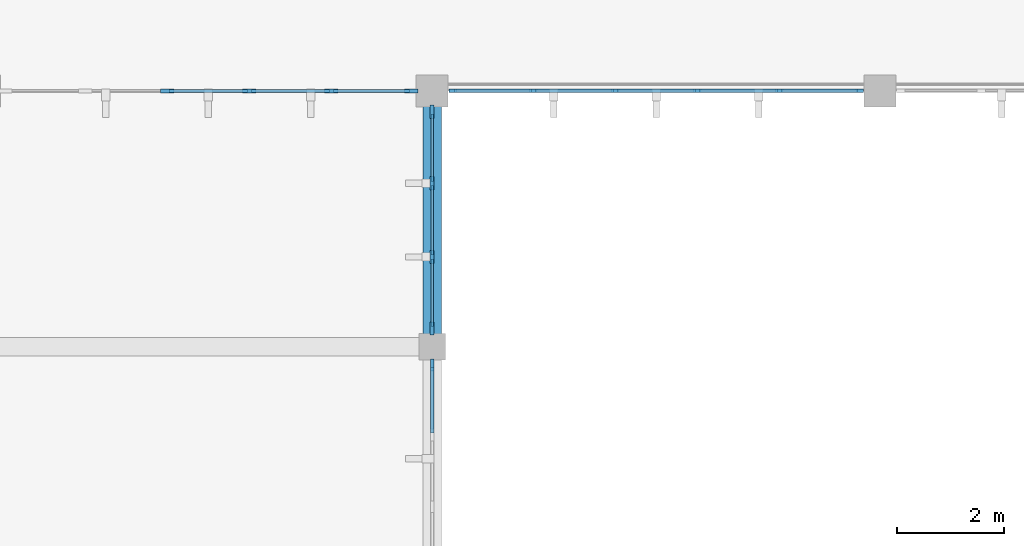
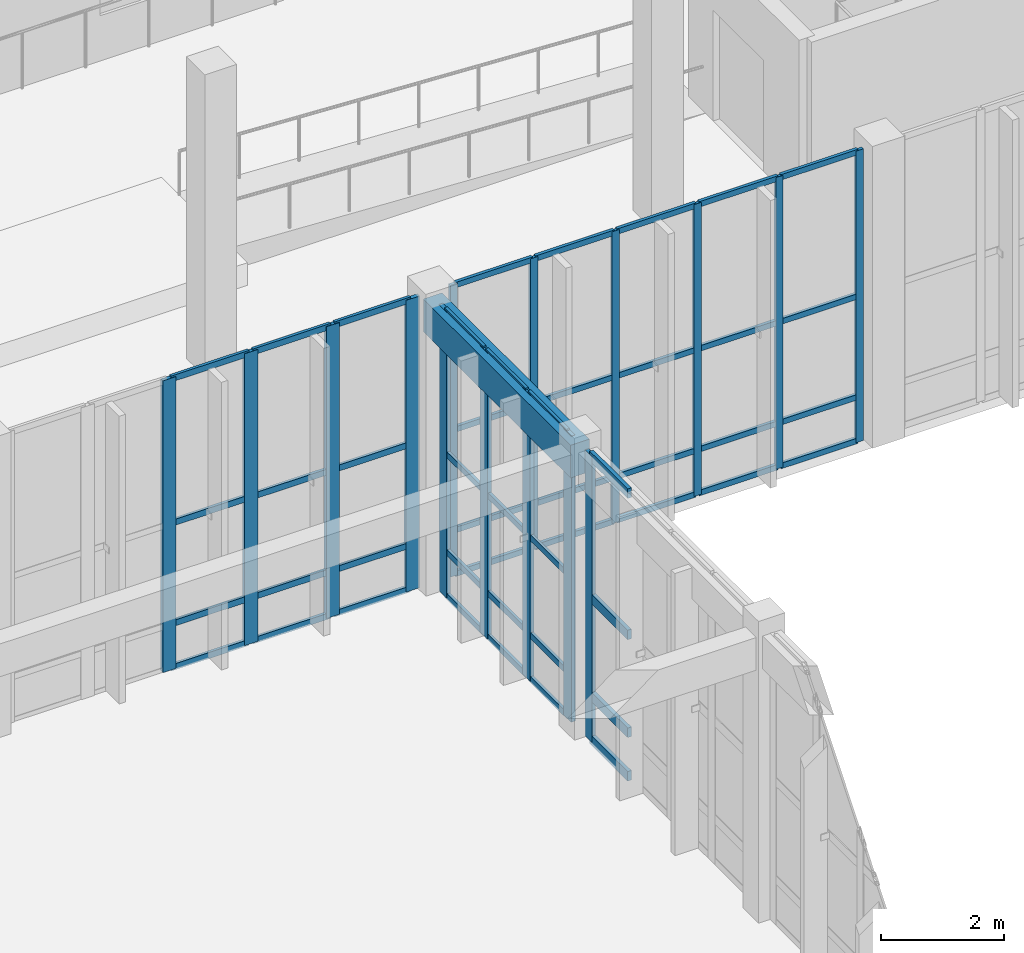
# One storey, part 46 of 105: 63 members, 1 beam, 4 elements without a shape of their own.
"""IFC4 building model written with IfcOpenShell, lengths in metres."""

from ifc_helpers import new_model, si_unit, direction, frame, origin, origin_2d, place, context, subcontext, project, spatial, rectangle, extrude, material, material_profile, profile_set, type_object, element, aggregate, save


model = new_model("IFC4")

# Units and contexts
model_context = context("Model", 3, precision=1e-05, world=origin(), true_north=direction((0.0, 1.0)))
body_context = subcontext(model_context, "Body", "Model", "MODEL_VIEW")
ifc_project = project(units=[si_unit("LENGTHUNIT", "METRE"), si_unit("AREAUNIT", "SQUARE_METRE"), si_unit("VOLUMEUNIT", "CUBIC_METRE"), si_unit("PLANEANGLEUNIT", "RADIAN"), si_unit("MASSUNIT", "GRAM", prefix="KILO")], contexts=[model_context])

# Site, building, storey
site_placement = place(None, origin())
site = spatial("IfcSite", under=ifc_project, at=site_placement, CompositionType="ELEMENT")
building_placement = place(site_placement, origin())
building = spatial("IfcBuilding", under=site, at=building_placement, Name="Tizgana Railside Sports Hall", CompositionType="ELEMENT")
storey_placement = place(building_placement, frame((0.0, 0.0, 6.0)))
storey = spatial("IfcBuildingStorey", under=building, at=storey_placement, Name="L01", CompositionType="ELEMENT", Elevation=6.0)

# Beam
ifc_material_1 = material(Name="Concrete C35/45", Category="concrete")
ifc_material_profile_1 = material_profile(ifc_material_1, rectangle(XDim=0.35009765625, YDim=0.64990234375, at=origin_2d()), Name="RCB 350x650")
ifc_profile_set_1 = profile_set([ifc_material_profile_1], Name="Concrete C35/45")
beam_type = type_object("IfcBeamType", Name="Concrete Beam RCB 350x650", PredefinedType="BEAM", material=ifc_profile_set_1)
beam_placement = place(storey_placement, frame((149.39990234375, 68.39990234375, 5.361083984375), z_axis=(0.0, 1.0, 0.0), x_axis=(-1.0, 0.0, 0.0)))
element("IfcBeam", 1, at=beam_placement, inside=storey, type_object=beam_type, Name="L01 BEM-1389", PredefinedType="BEAM", context=body_context, shape_type="SweptSolid", body=[
    extrude(rectangle(XDim=0.35009765625, YDim=0.64990234375, at=origin_2d()), origin(), (0.0, 0.0, 1.0), 4.800048828125),
])

# Curtain wall, members
ifc_material_2 = material(Name="Anodised aluminium and glass", Category="aluminium")
curtain_wall_type_1 = type_object("IfcCurtainWallType", Name="Unitised Curtain Wall Concourse 1500", PredefinedType="NOTDEFINED", material=ifc_material_2)
curtain_wall_1_placement = place(storey_placement, origin())
curtain_wall_1 = element("IfcCurtainWall", 2, at=curtain_wall_1_placement, inside=storey, type_object=curtain_wall_type_1, Name="L01 Curtain Wall CW-0072", PredefinedType="NOTDEFINED")
ifc_material_3 = material(Name="Anodised aluminium", Category="aluminium")
ifc_material_profile_2 = material_profile(ifc_material_3, rectangle(XDim=0.06005859375, YDim=0.139892578125, at=origin_2d()), Name="Mullion 60x140")
ifc_profile_set_2 = profile_set([ifc_material_profile_2], Name="Anodised aluminium")
member_type_1 = type_object("IfcMemberType", Name="Mullion 60x140", PredefinedType="MULLION", material=ifc_profile_set_2)
member_1_placement = place(storey_placement, frame((157.4150390625, 73.199951171875, 0.0), z_axis=(0.0, 0.0, 1.0), x_axis=(0.0, -1.0, 0.0)))
member_1 = element("IfcMember", 3, at=member_1_placement, type_object=member_type_1, Name="CW-01 mullion 1", PredefinedType="MULLION", context=body_context, shape_type="SweptSolid", body=[
    extrude(rectangle(XDim=0.06005859375, YDim=0.139892578125, at=origin_2d()), origin(), (0.0, 0.0, 1.0), 5.800048828125),
])
member_2_placement = place(storey_placement, frame((155.906982421875, 73.199951171875, 0.0), z_axis=(0.0, 0.0, 1.0), x_axis=(0.0, -1.0, 0.0)))
member_2 = element("IfcMember", 4, at=member_2_placement, type_object=member_type_1, Name="CW-01 mullion 2", PredefinedType="MULLION", context=body_context, shape_type="SweptSolid", body=[
    extrude(rectangle(XDim=0.06005859375, YDim=0.139892578125, at=origin_2d()), origin(), (0.0, 0.0, 1.0), 5.800048828125),
])
member_3_placement = place(storey_placement, frame((154.368896484375, 73.199951171875, 0.0), z_axis=(0.0, 0.0, 1.0), x_axis=(0.0, -1.0, 0.0)))
member_3 = element("IfcMember", 5, at=member_3_placement, type_object=member_type_1, Name="CW-01 mullion 3", PredefinedType="MULLION", context=body_context, shape_type="SweptSolid", body=[
    extrude(rectangle(XDim=0.06005859375, YDim=0.139892578125, at=origin_2d()), origin(), (0.0, 0.0, 1.0), 5.800048828125),
])
member_4_placement = place(storey_placement, frame((152.8310546875, 73.199951171875, 0.0), z_axis=(0.0, 0.0, 1.0), x_axis=(0.0, -1.0, 0.0)))
member_4 = element("IfcMember", 6, at=member_4_placement, type_object=member_type_1, Name="CW-01 mullion 4", PredefinedType="MULLION", context=body_context, shape_type="SweptSolid", body=[
    extrude(rectangle(XDim=0.06005859375, YDim=0.139892578125, at=origin_2d()), origin(), (0.0, 0.0, 1.0), 5.800048828125),
])
member_5_placement = place(storey_placement, frame((151.29296875, 73.199951171875, 0.0), z_axis=(0.0, 0.0, 1.0), x_axis=(0.0, -1.0, 0.0)))
member_5 = element("IfcMember", 7, at=member_5_placement, type_object=member_type_1, Name="CW-01 mullion 5", PredefinedType="MULLION", context=body_context, shape_type="SweptSolid", body=[
    extrude(rectangle(XDim=0.06005859375, YDim=0.139892578125, at=origin_2d()), origin(), (0.0, 0.0, 1.0), 5.800048828125),
])
member_6_placement = place(storey_placement, frame((149.784912109375, 73.199951171875, 0.0), z_axis=(0.0, 0.0, 1.0), x_axis=(0.0, -1.0, 0.0)))
member_6 = element("IfcMember", 8, at=member_6_placement, type_object=member_type_1, Name="CW-01 mullion 6", PredefinedType="MULLION", context=body_context, shape_type="SweptSolid", body=[
    extrude(rectangle(XDim=0.06005859375, YDim=0.139892578125, at=origin_2d()), origin(), (0.0, 0.0, 1.0), 5.800048828125),
])

# Curtain wall, member
curtain_wall_type_2 = type_object("IfcCurtainWallType", Name="Unitised Curtain Wall Studio 1400", PredefinedType="NOTDEFINED", material=ifc_material_2)
curtain_wall_2_placement = place(storey_placement, origin())
curtain_wall_2 = element("IfcCurtainWall", 9, at=curtain_wall_2_placement, inside=storey, type_object=curtain_wall_type_2, Name="L01 Curtain Wall CW-0034", PredefinedType="NOTDEFINED")
ifc_material_profile_3 = material_profile(ifc_material_3, rectangle(XDim=0.070068359375, YDim=0.219970703125, at=origin_2d()), Name="Mullion 70x220")
ifc_profile_set_3 = profile_set([ifc_material_profile_3], Name="Anodised aluminium")
member_type_2 = type_object("IfcMemberType", Name="Mullion 70x220", PredefinedType="MULLION", material=ifc_profile_set_3)
member_7_placement = place(storey_placement, frame((149.39990234375, 68.06005859375, 0.0), z_axis=(0.0, 0.0, 1.0), x_axis=(-1.0, 0.0, 0.0)))
member_7 = element("IfcMember", 10, at=member_7_placement, type_object=member_type_2, Name="CW-03 mullion 5", PredefinedType="MULLION", context=body_context, shape_type="SweptSolid", body=[
    extrude(rectangle(XDim=0.070068359375, YDim=0.219970703125, at=origin_2d()), origin(), (0.0, 0.0, 1.0), 5.68994140625),
])

# Curtain wall, members
curtain_wall_type_3 = type_object("IfcCurtainWallType", Name="Unitised Curtain Wall Climbing 1600", PredefinedType="NOTDEFINED", material=ifc_material_2)
curtain_wall_3_placement = place(storey_placement, origin())
curtain_wall_3 = element("IfcCurtainWall", 11, at=curtain_wall_3_placement, inside=storey, type_object=curtain_wall_type_3, Name="L01 Curtain Wall CW-0035", PredefinedType="NOTDEFINED")
ifc_material_profile_4 = material_profile(ifc_material_3, rectangle(XDim=0.074951171875, YDim=0.25, at=origin_2d()), Name="Mullion 75x250")
ifc_profile_set_4 = profile_set([ifc_material_profile_4], Name="Anodised aluminium")
member_type_3 = type_object("IfcMemberType", Name="Mullion 75x250", PredefinedType="MULLION", material=ifc_profile_set_4)
member_8_placement = place(storey_placement, frame((149.39990234375, 68.742431640625, 0.0), z_axis=(0.0, 0.0, 1.0), x_axis=(-1.0, 0.0, 0.0)))
member_8 = element("IfcMember", 12, at=member_8_placement, type_object=member_type_3, Name="CW-04 mullion 1", PredefinedType="MULLION", context=body_context, shape_type="SweptSolid", body=[
    extrude(rectangle(XDim=0.074951171875, YDim=0.25, at=origin_2d()), origin(), (0.0, 0.0, 1.0), 5.68994140625),
])
member_9_placement = place(storey_placement, frame((149.39990234375, 70.0849609375, 0.0), z_axis=(0.0, 0.0, 1.0), x_axis=(-1.0, 0.0, 0.0)))
member_9 = element("IfcMember", 13, at=member_9_placement, type_object=member_type_3, Name="CW-04 mullion 2", PredefinedType="MULLION", context=body_context, shape_type="SweptSolid", body=[
    extrude(rectangle(XDim=0.074951171875, YDim=0.25, at=origin_2d()), origin(), (0.0, 0.0, 1.0), 5.68994140625),
])
member_10_placement = place(storey_placement, frame((149.39990234375, 71.465087890625, 0.0), z_axis=(0.0, 0.0, 1.0), x_axis=(-1.0, 0.0, 0.0)))
member_10 = element("IfcMember", 14, at=member_10_placement, type_object=member_type_3, Name="CW-04 mullion 3", PredefinedType="MULLION", context=body_context, shape_type="SweptSolid", body=[
    extrude(rectangle(XDim=0.074951171875, YDim=0.25, at=origin_2d()), origin(), (0.0, 0.0, 1.0), 5.68994140625),
])
member_11_placement = place(storey_placement, frame((149.39990234375, 72.8076171875, 0.0), z_axis=(0.0, 0.0, 1.0), x_axis=(-1.0, 0.0, 0.0)))
member_11 = element("IfcMember", 15, at=member_11_placement, type_object=member_type_3, Name="CW-04 mullion 4", PredefinedType="MULLION", context=body_context, shape_type="SweptSolid", body=[
    extrude(rectangle(XDim=0.074951171875, YDim=0.25, at=origin_2d()), origin(), (0.0, 0.0, 1.0), 5.68994140625),
])

curtain_wall_type_4 = type_object("IfcCurtainWallType", Name="Unitised Curtain Wall EastHall 1500", PredefinedType="NOTDEFINED", material=ifc_material_2)
curtain_wall_4_placement = place(storey_placement, origin())
curtain_wall_4 = element("IfcCurtainWall", 16, at=curtain_wall_4_placement, inside=storey, type_object=curtain_wall_type_4, Name="L01 Curtain Wall CW-0071", PredefinedType="NOTDEFINED")
member_12_placement = place(storey_placement, frame((149.007568359375, 73.199951171875, 0.0), z_axis=(0.0, 0.0, 1.0), x_axis=(0.0, -1.0, 0.0)))
member_12 = element("IfcMember", 17, at=member_12_placement, type_object=member_type_3, Name="CW-08 mullion 1", PredefinedType="MULLION", context=body_context, shape_type="SweptSolid", body=[
    extrude(rectangle(XDim=0.074951171875, YDim=0.25, at=origin_2d()), origin(), (0.0, 0.0, 1.0), 5.800048828125),
])
member_13_placement = place(storey_placement, frame((147.507080078125, 73.199951171875, 0.0), z_axis=(0.0, 0.0, 1.0), x_axis=(0.0, -1.0, 0.0)))
member_13 = element("IfcMember", 18, at=member_13_placement, type_object=member_type_3, Name="CW-08 mullion 2", PredefinedType="MULLION", context=body_context, shape_type="SweptSolid", body=[
    extrude(rectangle(XDim=0.074951171875, YDim=0.25, at=origin_2d()), origin(), (0.0, 0.0, 1.0), 5.800048828125),
])
member_14_placement = place(storey_placement, frame((145.968994140625, 73.199951171875, 0.0), z_axis=(0.0, 0.0, 1.0), x_axis=(0.0, -1.0, 0.0)))
member_14 = element("IfcMember", 19, at=member_14_placement, type_object=member_type_3, Name="CW-08 mullion 3", PredefinedType="MULLION", context=body_context, shape_type="SweptSolid", body=[
    extrude(rectangle(XDim=0.074951171875, YDim=0.25, at=origin_2d()), origin(), (0.0, 0.0, 1.0), 5.800048828125),
])
member_15_placement = place(storey_placement, frame((144.430908203125, 73.199951171875, 0.0), z_axis=(0.0, 0.0, 1.0), x_axis=(0.0, -1.0, 0.0)))
member_15 = element("IfcMember", 20, at=member_15_placement, type_object=member_type_3, Name="CW-08 mullion 4", PredefinedType="MULLION", context=body_context, shape_type="SweptSolid", body=[
    extrude(rectangle(XDim=0.074951171875, YDim=0.25, at=origin_2d()), origin(), (0.0, 0.0, 1.0), 5.800048828125),
])

# Member
ifc_material_profile_5 = material_profile(ifc_material_3, rectangle(XDim=0.054931640625, YDim=0.1201171875, at=origin_2d()), Name="Transom 55x120")
ifc_profile_set_5 = profile_set([ifc_material_profile_5], Name="Anodised aluminium")
member_type_4 = type_object("IfcMemberType", Name="Transom 55x120", PredefinedType="USERDEFINED", material=ifc_profile_set_5)
member_16_placement = place(storey_placement, frame((149.39990234375, 68.780029296875, 0.027587890625), z_axis=(0.0, 1.0, 0.0), x_axis=(-1.0, 0.0, 0.0)))
member_16 = element("IfcMember", 21, at=member_16_placement, type_object=member_type_4, Name="CW-04 transom 1.1", ObjectType="TRANSOM", PredefinedType="USERDEFINED", context=body_context, shape_type="SweptSolid", body=[
    extrude(rectangle(XDim=0.054931640625, YDim=0.1201171875, at=origin_2d()), origin(), (0.0, 0.0, 1.0), 1.267578125),
])

member_17_placement = place(storey_placement, frame((149.39990234375, 68.780029296875, 0.89990234375), z_axis=(0.0, 1.0, 0.0), x_axis=(-1.0, 0.0, 0.0)))
member_17 = element("IfcMember", 22, at=member_17_placement, type_object=member_type_4, Name="CW-04 transom 1.2", ObjectType="TRANSOM", PredefinedType="USERDEFINED", context=body_context, shape_type="SweptSolid", body=[
    extrude(rectangle(XDim=0.054931640625, YDim=0.1201171875, at=origin_2d()), origin(), (0.0, 0.0, 1.0), 1.267578125),
])

member_18_placement = place(storey_placement, frame((149.39990234375, 68.780029296875, 2.844970703125), z_axis=(0.0, 1.0, 0.0), x_axis=(-1.0, 0.0, 0.0)))
member_18 = element("IfcMember", 23, at=member_18_placement, type_object=member_type_4, Name="CW-04 transom 1.3", ObjectType="TRANSOM", PredefinedType="USERDEFINED", context=body_context, shape_type="SweptSolid", body=[
    extrude(rectangle(XDim=0.054931640625, YDim=0.1201171875, at=origin_2d()), origin(), (0.0, 0.0, 1.0), 1.267578125),
])

member_19_placement = place(storey_placement, frame((149.39990234375, 68.780029296875, 5.66259765625), z_axis=(0.0, 1.0, 0.0), x_axis=(-1.0, 0.0, 0.0)))
member_19 = element("IfcMember", 24, at=member_19_placement, type_object=member_type_4, Name="CW-04 transom 1.4", ObjectType="TRANSOM", PredefinedType="USERDEFINED", context=body_context, shape_type="SweptSolid", body=[
    extrude(rectangle(XDim=0.054931640625, YDim=0.1201171875, at=origin_2d()), origin(), (0.0, 0.0, 1.0), 1.267578125),
])

member_20_placement = place(storey_placement, frame((149.39990234375, 70.12255859375, 0.027587890625), z_axis=(0.0, 1.0, 0.0), x_axis=(-1.0, 0.0, 0.0)))
member_20 = element("IfcMember", 25, at=member_20_placement, type_object=member_type_4, Name="CW-04 transom 2.1", ObjectType="TRANSOM", PredefinedType="USERDEFINED", context=body_context, shape_type="SweptSolid", body=[
    extrude(rectangle(XDim=0.054931640625, YDim=0.1201171875, at=origin_2d()), origin(), (0.0, 0.0, 1.0), 1.304931640625),
])

member_21_placement = place(storey_placement, frame((149.39990234375, 70.12255859375, 0.89990234375), z_axis=(0.0, 1.0, 0.0), x_axis=(-1.0, 0.0, 0.0)))
member_21 = element("IfcMember", 26, at=member_21_placement, type_object=member_type_4, Name="CW-04 transom 2.2", ObjectType="TRANSOM", PredefinedType="USERDEFINED", context=body_context, shape_type="SweptSolid", body=[
    extrude(rectangle(XDim=0.054931640625, YDim=0.1201171875, at=origin_2d()), origin(), (0.0, 0.0, 1.0), 1.304931640625),
])

member_22_placement = place(storey_placement, frame((149.39990234375, 70.12255859375, 2.844970703125), z_axis=(0.0, 1.0, 0.0), x_axis=(-1.0, 0.0, 0.0)))
member_22 = element("IfcMember", 27, at=member_22_placement, type_object=member_type_4, Name="CW-04 transom 2.3", ObjectType="TRANSOM", PredefinedType="USERDEFINED", context=body_context, shape_type="SweptSolid", body=[
    extrude(rectangle(XDim=0.054931640625, YDim=0.1201171875, at=origin_2d()), origin(), (0.0, 0.0, 1.0), 1.304931640625),
])

member_23_placement = place(storey_placement, frame((149.39990234375, 70.12255859375, 5.66259765625), z_axis=(0.0, 1.0, 0.0), x_axis=(-1.0, 0.0, 0.0)))
member_23 = element("IfcMember", 28, at=member_23_placement, type_object=member_type_4, Name="CW-04 transom 2.4", ObjectType="TRANSOM", PredefinedType="USERDEFINED", context=body_context, shape_type="SweptSolid", body=[
    extrude(rectangle(XDim=0.054931640625, YDim=0.1201171875, at=origin_2d()), origin(), (0.0, 0.0, 1.0), 1.304931640625),
])

member_24_placement = place(storey_placement, frame((149.39990234375, 71.50244140625, 0.027587890625), z_axis=(0.0, 1.0, 0.0), x_axis=(-1.0, 0.0, 0.0)))
member_24 = element("IfcMember", 29, at=member_24_placement, type_object=member_type_4, Name="CW-04 transom 3.1", ObjectType="TRANSOM", PredefinedType="USERDEFINED", context=body_context, shape_type="SweptSolid", body=[
    extrude(rectangle(XDim=0.054931640625, YDim=0.1201171875, at=origin_2d()), origin(), (0.0, 0.0, 1.0), 1.267578125),
])

member_25_placement = place(storey_placement, frame((149.39990234375, 71.50244140625, 0.89990234375), z_axis=(0.0, 1.0, 0.0), x_axis=(-1.0, 0.0, 0.0)))
member_25 = element("IfcMember", 30, at=member_25_placement, type_object=member_type_4, Name="CW-04 transom 3.2", ObjectType="TRANSOM", PredefinedType="USERDEFINED", context=body_context, shape_type="SweptSolid", body=[
    extrude(rectangle(XDim=0.054931640625, YDim=0.1201171875, at=origin_2d()), origin(), (0.0, 0.0, 1.0), 1.267578125),
])

member_26_placement = place(storey_placement, frame((149.39990234375, 71.50244140625, 2.844970703125), z_axis=(0.0, 1.0, 0.0), x_axis=(-1.0, 0.0, 0.0)))
member_26 = element("IfcMember", 31, at=member_26_placement, type_object=member_type_4, Name="CW-04 transom 3.3", ObjectType="TRANSOM", PredefinedType="USERDEFINED", context=body_context, shape_type="SweptSolid", body=[
    extrude(rectangle(XDim=0.054931640625, YDim=0.1201171875, at=origin_2d()), origin(), (0.0, 0.0, 1.0), 1.267578125),
])

member_27_placement = place(storey_placement, frame((149.39990234375, 71.50244140625, 5.66259765625), z_axis=(0.0, 1.0, 0.0), x_axis=(-1.0, 0.0, 0.0)))
member_27 = element("IfcMember", 32, at=member_27_placement, type_object=member_type_4, Name="CW-04 transom 3.4", ObjectType="TRANSOM", PredefinedType="USERDEFINED", context=body_context, shape_type="SweptSolid", body=[
    extrude(rectangle(XDim=0.054931640625, YDim=0.1201171875, at=origin_2d()), origin(), (0.0, 0.0, 1.0), 1.267578125),
])

aggregate(curtain_wall_3, [member_8, member_9, member_10, member_11, member_16, member_17, member_18, member_19, member_20, member_21, member_22, member_23, member_24, member_25, member_26, member_27])

member_28_placement = place(storey_placement, frame((148.969970703125, 73.199951171875, 0.027587890625), z_axis=(-1.0, 0.0, 0.0), x_axis=(0.0, -1.0, 0.0)))
member_28 = element("IfcMember", 33, at=member_28_placement, type_object=member_type_4, Name="CW-08 transom 1.1", ObjectType="TRANSOM", PredefinedType="USERDEFINED", context=body_context, shape_type="SweptSolid", body=[
    extrude(rectangle(XDim=0.054931640625, YDim=0.1201171875, at=origin_2d()), origin(), (0.0, 0.0, 1.0), 1.425537109375),
])

member_29_placement = place(storey_placement, frame((148.969970703125, 73.199951171875, 0.89990234375), z_axis=(-1.0, 0.0, 0.0), x_axis=(0.0, -1.0, 0.0)))
member_29 = element("IfcMember", 34, at=member_29_placement, type_object=member_type_4, Name="CW-08 transom 1.2", ObjectType="TRANSOM", PredefinedType="USERDEFINED", context=body_context, shape_type="SweptSolid", body=[
    extrude(rectangle(XDim=0.054931640625, YDim=0.1201171875, at=origin_2d()), origin(), (0.0, 0.0, 1.0), 1.425537109375),
])

member_30_placement = place(storey_placement, frame((148.969970703125, 73.199951171875, 2.89990234375), z_axis=(-1.0, 0.0, 0.0), x_axis=(0.0, -1.0, 0.0)))
member_30 = element("IfcMember", 35, at=member_30_placement, type_object=member_type_4, Name="CW-08 transom 1.3", ObjectType="TRANSOM", PredefinedType="USERDEFINED", context=body_context, shape_type="SweptSolid", body=[
    extrude(rectangle(XDim=0.054931640625, YDim=0.1201171875, at=origin_2d()), origin(), (0.0, 0.0, 1.0), 1.425537109375),
])

member_31_placement = place(storey_placement, frame((148.969970703125, 73.199951171875, 5.7724609375), z_axis=(-1.0, 0.0, 0.0), x_axis=(0.0, -1.0, 0.0)))
member_31 = element("IfcMember", 36, at=member_31_placement, type_object=member_type_4, Name="CW-08 transom 1.4", ObjectType="TRANSOM", PredefinedType="USERDEFINED", context=body_context, shape_type="SweptSolid", body=[
    extrude(rectangle(XDim=0.054931640625, YDim=0.1201171875, at=origin_2d()), origin(), (0.0, 0.0, 1.0), 1.425537109375),
])

member_32_placement = place(storey_placement, frame((147.469482421875, 73.199951171875, 0.027587890625), z_axis=(-1.0, 0.0, 0.0), x_axis=(0.0, -1.0, 0.0)))
member_32 = element("IfcMember", 37, at=member_32_placement, type_object=member_type_4, Name="CW-08 transom 2.1", ObjectType="TRANSOM", PredefinedType="USERDEFINED", context=body_context, shape_type="SweptSolid", body=[
    extrude(rectangle(XDim=0.054931640625, YDim=0.1201171875, at=origin_2d()), origin(), (0.0, 0.0, 1.0), 1.462890625),
])

member_33_placement = place(storey_placement, frame((147.469482421875, 73.199951171875, 0.89990234375), z_axis=(-1.0, 0.0, 0.0), x_axis=(0.0, -1.0, 0.0)))
member_33 = element("IfcMember", 38, at=member_33_placement, type_object=member_type_4, Name="CW-08 transom 2.2", ObjectType="TRANSOM", PredefinedType="USERDEFINED", context=body_context, shape_type="SweptSolid", body=[
    extrude(rectangle(XDim=0.054931640625, YDim=0.1201171875, at=origin_2d()), origin(), (0.0, 0.0, 1.0), 1.462890625),
])

member_34_placement = place(storey_placement, frame((147.469482421875, 73.199951171875, 2.89990234375), z_axis=(-1.0, 0.0, 0.0), x_axis=(0.0, -1.0, 0.0)))
member_34 = element("IfcMember", 39, at=member_34_placement, type_object=member_type_4, Name="CW-08 transom 2.3", ObjectType="TRANSOM", PredefinedType="USERDEFINED", context=body_context, shape_type="SweptSolid", body=[
    extrude(rectangle(XDim=0.054931640625, YDim=0.1201171875, at=origin_2d()), origin(), (0.0, 0.0, 1.0), 1.462890625),
])

member_35_placement = place(storey_placement, frame((147.469482421875, 73.199951171875, 5.7724609375), z_axis=(-1.0, 0.0, 0.0), x_axis=(0.0, -1.0, 0.0)))
member_35 = element("IfcMember", 40, at=member_35_placement, type_object=member_type_4, Name="CW-08 transom 2.4", ObjectType="TRANSOM", PredefinedType="USERDEFINED", context=body_context, shape_type="SweptSolid", body=[
    extrude(rectangle(XDim=0.054931640625, YDim=0.1201171875, at=origin_2d()), origin(), (0.0, 0.0, 1.0), 1.462890625),
])

member_36_placement = place(storey_placement, frame((145.931396484375, 73.199951171875, 0.027587890625), z_axis=(-1.0, 0.0, 0.0), x_axis=(0.0, -1.0, 0.0)))
member_36 = element("IfcMember", 41, at=member_36_placement, type_object=member_type_4, Name="CW-08 transom 3.1", ObjectType="TRANSOM", PredefinedType="USERDEFINED", context=body_context, shape_type="SweptSolid", body=[
    extrude(rectangle(XDim=0.054931640625, YDim=0.1201171875, at=origin_2d()), origin(), (0.0, 0.0, 1.0), 1.462890625),
])

member_37_placement = place(storey_placement, frame((145.931396484375, 73.199951171875, 0.89990234375), z_axis=(-1.0, 0.0, 0.0), x_axis=(0.0, -1.0, 0.0)))
member_37 = element("IfcMember", 42, at=member_37_placement, type_object=member_type_4, Name="CW-08 transom 3.2", ObjectType="TRANSOM", PredefinedType="USERDEFINED", context=body_context, shape_type="SweptSolid", body=[
    extrude(rectangle(XDim=0.054931640625, YDim=0.1201171875, at=origin_2d()), origin(), (0.0, 0.0, 1.0), 1.462890625),
])

member_38_placement = place(storey_placement, frame((145.931396484375, 73.199951171875, 2.89990234375), z_axis=(-1.0, 0.0, 0.0), x_axis=(0.0, -1.0, 0.0)))
member_38 = element("IfcMember", 43, at=member_38_placement, type_object=member_type_4, Name="CW-08 transom 3.3", ObjectType="TRANSOM", PredefinedType="USERDEFINED", context=body_context, shape_type="SweptSolid", body=[
    extrude(rectangle(XDim=0.054931640625, YDim=0.1201171875, at=origin_2d()), origin(), (0.0, 0.0, 1.0), 1.462890625),
])

member_39_placement = place(storey_placement, frame((145.931396484375, 73.199951171875, 5.7724609375), z_axis=(-1.0, 0.0, 0.0), x_axis=(0.0, -1.0, 0.0)))
member_39 = element("IfcMember", 44, at=member_39_placement, type_object=member_type_4, Name="CW-08 transom 3.4", ObjectType="TRANSOM", PredefinedType="USERDEFINED", context=body_context, shape_type="SweptSolid", body=[
    extrude(rectangle(XDim=0.054931640625, YDim=0.1201171875, at=origin_2d()), origin(), (0.0, 0.0, 1.0), 1.462890625),
])

aggregate(curtain_wall_4, [member_12, member_13, member_14, member_15, member_28, member_29, member_30, member_31, member_32, member_33, member_34, member_35, member_36, member_37, member_38, member_39])

ifc_material_profile_6 = material_profile(ifc_material_3, rectangle(XDim=0.06005859375, YDim=0.110107421875, at=origin_2d()), Name="Transom 60x110")
ifc_profile_set_6 = profile_set([ifc_material_profile_6], Name="Anodised aluminium")
member_type_5 = type_object("IfcMemberType", Name="Transom 60x110", PredefinedType="USERDEFINED", material=ifc_profile_set_6)
member_40_placement = place(storey_placement, frame((157.385009765625, 73.199951171875, 0.030029296875), z_axis=(-1.0, 0.0, 0.0), x_axis=(0.0, -1.0, 0.0)))
member_40 = element("IfcMember", 45, at=member_40_placement, type_object=member_type_5, Name="CW-01 transom 1.1", ObjectType="TRANSOM", PredefinedType="USERDEFINED", context=body_context, shape_type="SweptSolid", body=[
    extrude(rectangle(XDim=0.06005859375, YDim=0.110107421875, at=origin_2d()), origin(), (0.0, 0.0, 1.0), 1.447998046875),
])

member_41_placement = place(storey_placement, frame((157.385009765625, 73.199951171875, 0.89990234375), z_axis=(-1.0, 0.0, 0.0), x_axis=(0.0, -1.0, 0.0)))
member_41 = element("IfcMember", 46, at=member_41_placement, type_object=member_type_5, Name="CW-01 transom 1.2", ObjectType="TRANSOM", PredefinedType="USERDEFINED", context=body_context, shape_type="SweptSolid", body=[
    extrude(rectangle(XDim=0.06005859375, YDim=0.110107421875, at=origin_2d()), origin(), (0.0, 0.0, 1.0), 1.447998046875),
])

member_42_placement = place(storey_placement, frame((157.385009765625, 73.199951171875, 2.89990234375), z_axis=(-1.0, 0.0, 0.0), x_axis=(0.0, -1.0, 0.0)))
member_42 = element("IfcMember", 47, at=member_42_placement, type_object=member_type_5, Name="CW-01 transom 1.3", ObjectType="TRANSOM", PredefinedType="USERDEFINED", context=body_context, shape_type="SweptSolid", body=[
    extrude(rectangle(XDim=0.06005859375, YDim=0.110107421875, at=origin_2d()), origin(), (0.0, 0.0, 1.0), 1.447998046875),
])

member_43_placement = place(storey_placement, frame((157.385009765625, 73.199951171875, 5.77001953125), z_axis=(-1.0, 0.0, 0.0), x_axis=(0.0, -1.0, 0.0)))
member_43 = element("IfcMember", 48, at=member_43_placement, type_object=member_type_5, Name="CW-01 transom 1.4", ObjectType="TRANSOM", PredefinedType="USERDEFINED", context=body_context, shape_type="SweptSolid", body=[
    extrude(rectangle(XDim=0.06005859375, YDim=0.110107421875, at=origin_2d()), origin(), (0.0, 0.0, 1.0), 1.447998046875),
])

member_44_placement = place(storey_placement, frame((155.876953125, 73.199951171875, 0.030029296875), z_axis=(-1.0, 0.0, 0.0), x_axis=(0.0, -1.0, 0.0)))
member_44 = element("IfcMember", 49, at=member_44_placement, type_object=member_type_5, Name="CW-01 transom 2.1", ObjectType="TRANSOM", PredefinedType="USERDEFINED", context=body_context, shape_type="SweptSolid", body=[
    extrude(rectangle(XDim=0.06005859375, YDim=0.110107421875, at=origin_2d()), origin(), (0.0, 0.0, 1.0), 1.47802734375),
])

member_45_placement = place(storey_placement, frame((155.876953125, 73.199951171875, 0.89990234375), z_axis=(-1.0, 0.0, 0.0), x_axis=(0.0, -1.0, 0.0)))
member_45 = element("IfcMember", 50, at=member_45_placement, type_object=member_type_5, Name="CW-01 transom 2.2", ObjectType="TRANSOM", PredefinedType="USERDEFINED", context=body_context, shape_type="SweptSolid", body=[
    extrude(rectangle(XDim=0.06005859375, YDim=0.110107421875, at=origin_2d()), origin(), (0.0, 0.0, 1.0), 1.47802734375),
])

member_46_placement = place(storey_placement, frame((155.876953125, 73.199951171875, 2.89990234375), z_axis=(-1.0, 0.0, 0.0), x_axis=(0.0, -1.0, 0.0)))
member_46 = element("IfcMember", 51, at=member_46_placement, type_object=member_type_5, Name="CW-01 transom 2.3", ObjectType="TRANSOM", PredefinedType="USERDEFINED", context=body_context, shape_type="SweptSolid", body=[
    extrude(rectangle(XDim=0.06005859375, YDim=0.110107421875, at=origin_2d()), origin(), (0.0, 0.0, 1.0), 1.47802734375),
])

member_47_placement = place(storey_placement, frame((155.876953125, 73.199951171875, 5.77001953125), z_axis=(-1.0, 0.0, 0.0), x_axis=(0.0, -1.0, 0.0)))
member_47 = element("IfcMember", 52, at=member_47_placement, type_object=member_type_5, Name="CW-01 transom 2.4", ObjectType="TRANSOM", PredefinedType="USERDEFINED", context=body_context, shape_type="SweptSolid", body=[
    extrude(rectangle(XDim=0.06005859375, YDim=0.110107421875, at=origin_2d()), origin(), (0.0, 0.0, 1.0), 1.47802734375),
])

member_48_placement = place(storey_placement, frame((154.339111328125, 73.199951171875, 0.030029296875), z_axis=(-1.0, 0.0, 0.0), x_axis=(0.0, -1.0, 0.0)))
member_48 = element("IfcMember", 53, at=member_48_placement, type_object=member_type_5, Name="CW-01 transom 3.1", ObjectType="TRANSOM", PredefinedType="USERDEFINED", context=body_context, shape_type="SweptSolid", body=[
    extrude(rectangle(XDim=0.06005859375, YDim=0.110107421875, at=origin_2d()), origin(), (0.0, 0.0, 1.0), 1.47802734375),
])

member_49_placement = place(storey_placement, frame((154.339111328125, 73.199951171875, 0.89990234375), z_axis=(-1.0, 0.0, 0.0), x_axis=(0.0, -1.0, 0.0)))
member_49 = element("IfcMember", 54, at=member_49_placement, type_object=member_type_5, Name="CW-01 transom 3.2", ObjectType="TRANSOM", PredefinedType="USERDEFINED", context=body_context, shape_type="SweptSolid", body=[
    extrude(rectangle(XDim=0.06005859375, YDim=0.110107421875, at=origin_2d()), origin(), (0.0, 0.0, 1.0), 1.47802734375),
])

member_50_placement = place(storey_placement, frame((154.339111328125, 73.199951171875, 2.89990234375), z_axis=(-1.0, 0.0, 0.0), x_axis=(0.0, -1.0, 0.0)))
member_50 = element("IfcMember", 55, at=member_50_placement, type_object=member_type_5, Name="CW-01 transom 3.3", ObjectType="TRANSOM", PredefinedType="USERDEFINED", context=body_context, shape_type="SweptSolid", body=[
    extrude(rectangle(XDim=0.06005859375, YDim=0.110107421875, at=origin_2d()), origin(), (0.0, 0.0, 1.0), 1.47802734375),
])

member_51_placement = place(storey_placement, frame((154.339111328125, 73.199951171875, 5.77001953125), z_axis=(-1.0, 0.0, 0.0), x_axis=(0.0, -1.0, 0.0)))
member_51 = element("IfcMember", 56, at=member_51_placement, type_object=member_type_5, Name="CW-01 transom 3.4", ObjectType="TRANSOM", PredefinedType="USERDEFINED", context=body_context, shape_type="SweptSolid", body=[
    extrude(rectangle(XDim=0.06005859375, YDim=0.110107421875, at=origin_2d()), origin(), (0.0, 0.0, 1.0), 1.47802734375),
])

member_52_placement = place(storey_placement, frame((152.801025390625, 73.199951171875, 0.030029296875), z_axis=(-1.0, 0.0, 0.0), x_axis=(0.0, -1.0, 0.0)))
member_52 = element("IfcMember", 57, at=member_52_placement, type_object=member_type_5, Name="CW-01 transom 4.1", ObjectType="TRANSOM", PredefinedType="USERDEFINED", context=body_context, shape_type="SweptSolid", body=[
    extrude(rectangle(XDim=0.06005859375, YDim=0.110107421875, at=origin_2d()), origin(), (0.0, 0.0, 1.0), 1.47802734375),
])

member_53_placement = place(storey_placement, frame((152.801025390625, 73.199951171875, 0.89990234375), z_axis=(-1.0, 0.0, 0.0), x_axis=(0.0, -1.0, 0.0)))
member_53 = element("IfcMember", 58, at=member_53_placement, type_object=member_type_5, Name="CW-01 transom 4.2", ObjectType="TRANSOM", PredefinedType="USERDEFINED", context=body_context, shape_type="SweptSolid", body=[
    extrude(rectangle(XDim=0.06005859375, YDim=0.110107421875, at=origin_2d()), origin(), (0.0, 0.0, 1.0), 1.47802734375),
])

member_54_placement = place(storey_placement, frame((152.801025390625, 73.199951171875, 2.89990234375), z_axis=(-1.0, 0.0, 0.0), x_axis=(0.0, -1.0, 0.0)))
member_54 = element("IfcMember", 59, at=member_54_placement, type_object=member_type_5, Name="CW-01 transom 4.3", ObjectType="TRANSOM", PredefinedType="USERDEFINED", context=body_context, shape_type="SweptSolid", body=[
    extrude(rectangle(XDim=0.06005859375, YDim=0.110107421875, at=origin_2d()), origin(), (0.0, 0.0, 1.0), 1.47802734375),
])

member_55_placement = place(storey_placement, frame((152.801025390625, 73.199951171875, 5.77001953125), z_axis=(-1.0, 0.0, 0.0), x_axis=(0.0, -1.0, 0.0)))
member_55 = element("IfcMember", 60, at=member_55_placement, type_object=member_type_5, Name="CW-01 transom 4.4", ObjectType="TRANSOM", PredefinedType="USERDEFINED", context=body_context, shape_type="SweptSolid", body=[
    extrude(rectangle(XDim=0.06005859375, YDim=0.110107421875, at=origin_2d()), origin(), (0.0, 0.0, 1.0), 1.47802734375),
])

member_56_placement = place(storey_placement, frame((151.262939453125, 73.199951171875, 0.030029296875), z_axis=(-1.0, 0.0, 0.0), x_axis=(0.0, -1.0, 0.0)))
member_56 = element("IfcMember", 61, at=member_56_placement, type_object=member_type_5, Name="CW-01 transom 5.1", ObjectType="TRANSOM", PredefinedType="USERDEFINED", context=body_context, shape_type="SweptSolid", body=[
    extrude(rectangle(XDim=0.06005859375, YDim=0.110107421875, at=origin_2d()), origin(), (0.0, 0.0, 1.0), 1.447998046875),
])

member_57_placement = place(storey_placement, frame((151.262939453125, 73.199951171875, 0.89990234375), z_axis=(-1.0, 0.0, 0.0), x_axis=(0.0, -1.0, 0.0)))
member_57 = element("IfcMember", 62, at=member_57_placement, type_object=member_type_5, Name="CW-01 transom 5.2", ObjectType="TRANSOM", PredefinedType="USERDEFINED", context=body_context, shape_type="SweptSolid", body=[
    extrude(rectangle(XDim=0.06005859375, YDim=0.110107421875, at=origin_2d()), origin(), (0.0, 0.0, 1.0), 1.447998046875),
])

member_58_placement = place(storey_placement, frame((151.262939453125, 73.199951171875, 2.89990234375), z_axis=(-1.0, 0.0, 0.0), x_axis=(0.0, -1.0, 0.0)))
member_58 = element("IfcMember", 63, at=member_58_placement, type_object=member_type_5, Name="CW-01 transom 5.3", ObjectType="TRANSOM", PredefinedType="USERDEFINED", context=body_context, shape_type="SweptSolid", body=[
    extrude(rectangle(XDim=0.06005859375, YDim=0.110107421875, at=origin_2d()), origin(), (0.0, 0.0, 1.0), 1.447998046875),
])

member_59_placement = place(storey_placement, frame((151.262939453125, 73.199951171875, 5.77001953125), z_axis=(-1.0, 0.0, 0.0), x_axis=(0.0, -1.0, 0.0)))
member_59 = element("IfcMember", 64, at=member_59_placement, type_object=member_type_5, Name="CW-01 transom 5.4", ObjectType="TRANSOM", PredefinedType="USERDEFINED", context=body_context, shape_type="SweptSolid", body=[
    extrude(rectangle(XDim=0.06005859375, YDim=0.110107421875, at=origin_2d()), origin(), (0.0, 0.0, 1.0), 1.447998046875),
])

aggregate(curtain_wall_1, [member_1, member_2, member_3, member_4, member_5, member_6, member_40, member_41, member_42, member_43, member_44, member_45, member_46, member_47, member_48, member_49, member_50, member_51, member_52, member_53, member_54, member_55, member_56, member_57, member_58, member_59])

ifc_material_profile_7 = material_profile(ifc_material_3, rectangle(XDim=0.070068359375, YDim=0.18994140625, at=origin_2d()), Name="Transom 70x190")
ifc_profile_set_7 = profile_set([ifc_material_profile_7], Name="Anodised aluminium")
member_type_6 = type_object("IfcMemberType", Name="Transom 70x190", PredefinedType="USERDEFINED", material=ifc_profile_set_7)
member_60_placement = place(storey_placement, frame((149.39990234375, 66.782470703125, 0.034912109375), z_axis=(0.0, 1.0, 0.0), x_axis=(-1.0, 0.0, 0.0)))
member_60 = element("IfcMember", 65, at=member_60_placement, type_object=member_type_6, Name="CW-03 transom 4.1", ObjectType="TRANSOM", PredefinedType="USERDEFINED", context=body_context, shape_type="SweptSolid", body=[
    extrude(rectangle(XDim=0.070068359375, YDim=0.18994140625, at=origin_2d()), origin(), (0.0, 0.0, 1.0), 1.242431640625),
])

member_61_placement = place(storey_placement, frame((149.39990234375, 66.782470703125, 0.89990234375), z_axis=(0.0, 1.0, 0.0), x_axis=(-1.0, 0.0, 0.0)))
member_61 = element("IfcMember", 66, at=member_61_placement, type_object=member_type_6, Name="CW-03 transom 4.2", ObjectType="TRANSOM", PredefinedType="USERDEFINED", context=body_context, shape_type="SweptSolid", body=[
    extrude(rectangle(XDim=0.070068359375, YDim=0.18994140625, at=origin_2d()), origin(), (0.0, 0.0, 1.0), 1.242431640625),
])

member_62_placement = place(storey_placement, frame((149.39990234375, 66.782470703125, 2.844970703125), z_axis=(0.0, 1.0, 0.0), x_axis=(-1.0, 0.0, 0.0)))
member_62 = element("IfcMember", 67, at=member_62_placement, type_object=member_type_6, Name="CW-03 transom 4.3", ObjectType="TRANSOM", PredefinedType="USERDEFINED", context=body_context, shape_type="SweptSolid", body=[
    extrude(rectangle(XDim=0.070068359375, YDim=0.18994140625, at=origin_2d()), origin(), (0.0, 0.0, 1.0), 1.242431640625),
])

member_63_placement = place(storey_placement, frame((149.39990234375, 66.782470703125, 5.655029296875), z_axis=(0.0, 1.0, 0.0), x_axis=(-1.0, 0.0, 0.0)))
member_63 = element("IfcMember", 68, at=member_63_placement, type_object=member_type_6, Name="CW-03 transom 4.4", ObjectType="TRANSOM", PredefinedType="USERDEFINED", context=body_context, shape_type="SweptSolid", body=[
    extrude(rectangle(XDim=0.070068359375, YDim=0.18994140625, at=origin_2d()), origin(), (0.0, 0.0, 1.0), 1.242431640625),
])

aggregate(curtain_wall_2, [member_7, member_60, member_61, member_62, member_63])

save(model, "model.ifc")
